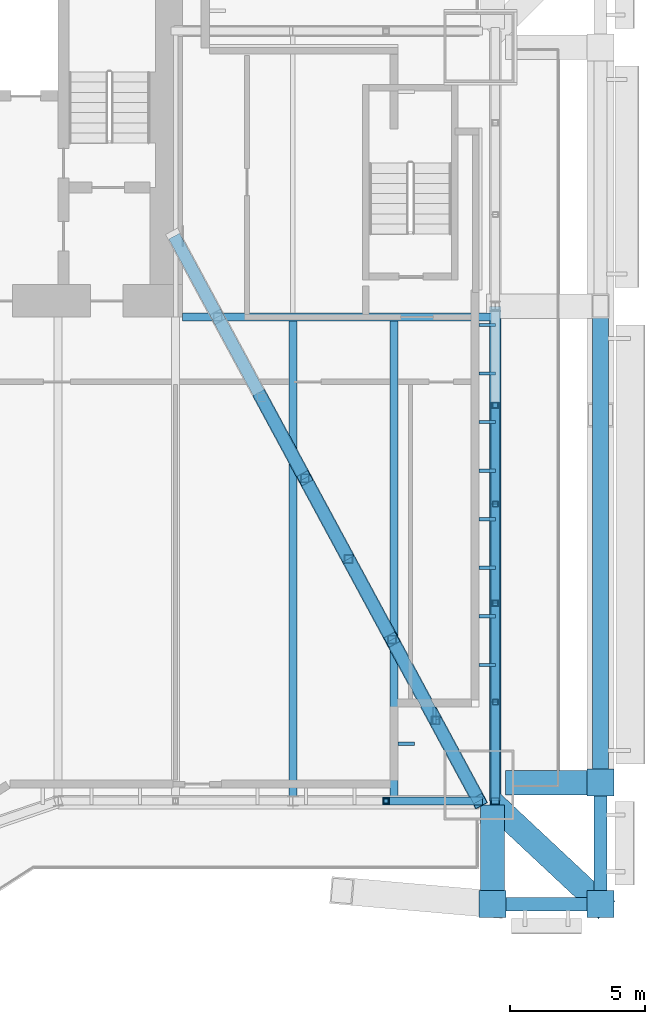
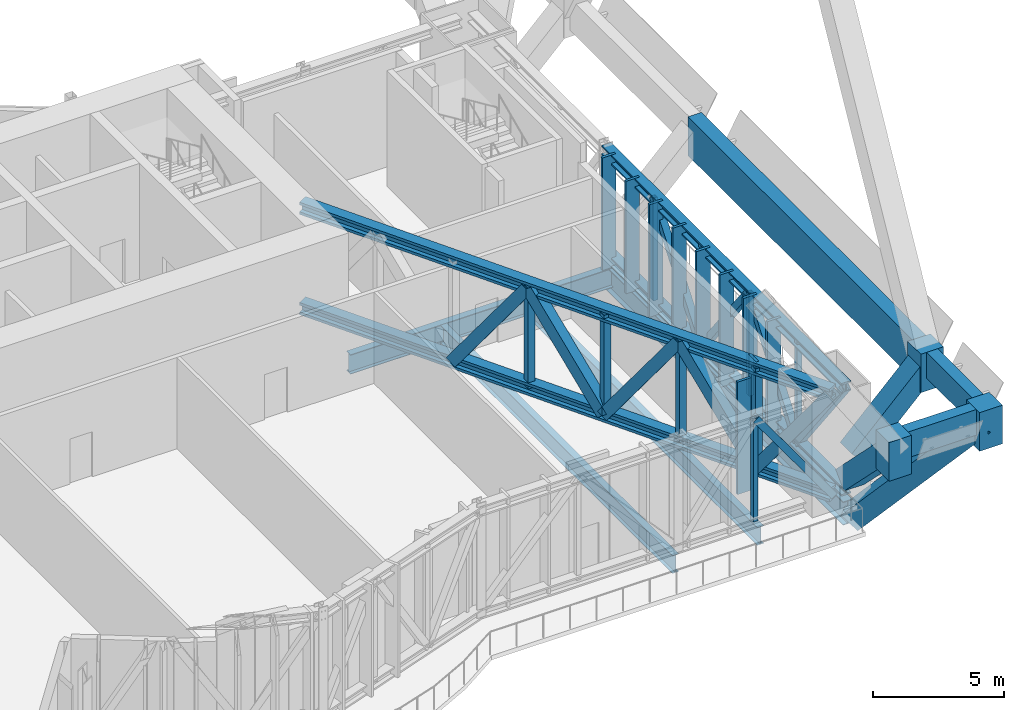
# One storey, part 14 of 30: 39 members, 7 beams, 1 element without a shape of its own.
"""IFC4 building model written with IfcOpenShell, lengths in metres."""

from ifc_helpers import new_model, si_unit, direction, frame, origin, origin_2d, place, context, subcontext, project, spatial, rectangle, hollow_rectangle, i_section, extrude, material, material_profile, profile_set, type_object, element, aggregate, save


model = new_model("IFC4")

# Units and contexts
model_context = context("Model", 3, precision=1e-05, world=origin(), true_north=direction((0.0, 1.0)))
body_context = subcontext(model_context, "Body", "Model", "MODEL_VIEW")
ifc_project = project(units=[si_unit("LENGTHUNIT", "METRE"), si_unit("AREAUNIT", "SQUARE_METRE"), si_unit("VOLUMEUNIT", "CUBIC_METRE"), si_unit("PLANEANGLEUNIT", "RADIAN"), si_unit("MASSUNIT", "GRAM", prefix="KILO")], contexts=[model_context])

# Site, building, storey
site_placement = place(None, origin())
site = spatial("IfcSite", under=ifc_project, at=site_placement, CompositionType="ELEMENT")
building_placement = place(site_placement, origin())
building = spatial("IfcBuilding", under=site, at=building_placement, Name="Bicima Exchange Tower", CompositionType="ELEMENT")
storey_placement = place(building_placement, frame((0.0, 0.0, 185.5)))
storey = spatial("IfcBuildingStorey", under=building, at=storey_placement, Name="L41", CompositionType="ELEMENT", Elevation=185.5)

# Curtain wall, members
ifc_material_1 = material(Name="Anodised bronze aluminium", Category="aluminium")
curtain_wall_type = type_object("IfcCurtainWallType", Name="Band blade screen", PredefinedType="NOTDEFINED", material=ifc_material_1)
curtain_wall_placement = place(storey_placement, origin())
curtain_wall = element("IfcCurtainWall", 1, at=curtain_wall_placement, inside=storey, type_object=curtain_wall_type, Name="Band blade screen L41", PredefinedType="NOTDEFINED")
ifc_material_profile_1 = material_profile(ifc_material_1, rectangle(XDim=0.60009765625, YDim=0.1201171875, at=origin_2d()))
ifc_profile_set_1 = profile_set([ifc_material_profile_1], Name="Anodised bronze aluminium")
member_type_1 = type_object("IfcMemberType", Name="Band blade fin 600 x 120", PredefinedType="USERDEFINED", material=ifc_profile_set_1)
member_1_placement = place(storey_placement, frame((33.300048828125, -25.89208984375, 0.0), z_axis=(0.0, 0.0, 1.0), x_axis=(-1.0, 0.0, 0.0)))
member_1 = element("IfcMember", 2, at=member_1_placement, type_object=member_type_1, Name="Band blade fin 1", ObjectType="FIN", PredefinedType="USERDEFINED", context=body_context, shape_type="SweptSolid", body=[
    extrude(rectangle(XDim=0.60009765625, YDim=0.1201171875, at=origin_2d()), origin(), (0.0, 0.0, 1.0), 5.25),
])
member_2_placement = place(storey_placement, frame((33.300048828125, -24.092041015625, 0.0), z_axis=(0.0, 0.0, 1.0), x_axis=(-1.0, 0.0, 0.0)))
member_2 = element("IfcMember", 3, at=member_2_placement, type_object=member_type_1, Name="Band blade fin 2", ObjectType="FIN", PredefinedType="USERDEFINED", context=body_context, shape_type="SweptSolid", body=[
    extrude(rectangle(XDim=0.60009765625, YDim=0.1201171875, at=origin_2d()), origin(), (0.0, 0.0, 1.0), 5.25),
])
member_3_placement = place(storey_placement, frame((33.300048828125, -22.2919921875, 0.0), z_axis=(0.0, 0.0, 1.0), x_axis=(-1.0, 0.0, 0.0)))
member_3 = element("IfcMember", 4, at=member_3_placement, type_object=member_type_1, Name="Band blade fin 3", ObjectType="FIN", PredefinedType="USERDEFINED", context=body_context, shape_type="SweptSolid", body=[
    extrude(rectangle(XDim=0.60009765625, YDim=0.1201171875, at=origin_2d()), origin(), (0.0, 0.0, 1.0), 5.25),
])
member_4_placement = place(storey_placement, frame((33.300048828125, -20.4921875, 0.0), z_axis=(0.0, 0.0, 1.0), x_axis=(-1.0, 0.0, 0.0)))
member_4 = element("IfcMember", 5, at=member_4_placement, type_object=member_type_1, Name="Band blade fin 4", ObjectType="FIN", PredefinedType="USERDEFINED", context=body_context, shape_type="SweptSolid", body=[
    extrude(rectangle(XDim=0.60009765625, YDim=0.1201171875, at=origin_2d()), origin(), (0.0, 0.0, 1.0), 5.25),
])
member_5_placement = place(storey_placement, frame((33.300048828125, -18.692138671875, 0.0), z_axis=(0.0, 0.0, 1.0), x_axis=(-1.0, 0.0, 0.0)))
member_5 = element("IfcMember", 6, at=member_5_placement, type_object=member_type_1, Name="Band blade fin 5", ObjectType="FIN", PredefinedType="USERDEFINED", context=body_context, shape_type="SweptSolid", body=[
    extrude(rectangle(XDim=0.60009765625, YDim=0.1201171875, at=origin_2d()), origin(), (0.0, 0.0, 1.0), 5.25),
])
member_6_placement = place(storey_placement, frame((33.300048828125, -16.89208984375, 0.0), z_axis=(0.0, 0.0, 1.0), x_axis=(-1.0, 0.0, 0.0)))
member_6 = element("IfcMember", 7, at=member_6_placement, type_object=member_type_1, Name="Band blade fin 6", ObjectType="FIN", PredefinedType="USERDEFINED", context=body_context, shape_type="SweptSolid", body=[
    extrude(rectangle(XDim=0.60009765625, YDim=0.1201171875, at=origin_2d()), origin(), (0.0, 0.0, 1.0), 5.25),
])
member_7_placement = place(storey_placement, frame((33.300048828125, -15.092041015625, 0.0), z_axis=(0.0, 0.0, 1.0), x_axis=(-1.0, 0.0, 0.0)))
member_7 = element("IfcMember", 8, at=member_7_placement, type_object=member_type_1, Name="Band blade fin 7", ObjectType="FIN", PredefinedType="USERDEFINED", context=body_context, shape_type="SweptSolid", body=[
    extrude(rectangle(XDim=0.60009765625, YDim=0.1201171875, at=origin_2d()), origin(), (0.0, 0.0, 1.0), 5.25),
])
member_8_placement = place(storey_placement, frame((33.300048828125, -13.2919921875, 0.0), z_axis=(0.0, 0.0, 1.0), x_axis=(-1.0, 0.0, 0.0)))
member_8 = element("IfcMember", 9, at=member_8_placement, type_object=member_type_1, Name="Band blade fin 8", ObjectType="FIN", PredefinedType="USERDEFINED", context=body_context, shape_type="SweptSolid", body=[
    extrude(rectangle(XDim=0.60009765625, YDim=0.1201171875, at=origin_2d()), origin(), (0.0, 0.0, 1.0), 5.25),
])
member_9_placement = place(storey_placement, frame((30.300048828125, -28.81005859375, 0.0), z_axis=(0.0, 0.0, 1.0), x_axis=(-1.0, 0.0, 0.0)))
member_9 = element("IfcMember", 10, at=member_9_placement, type_object=member_type_1, Name="Band blade fin 55", ObjectType="FIN", PredefinedType="USERDEFINED", context=body_context, shape_type="SweptSolid", body=[
    extrude(rectangle(XDim=0.60009765625, YDim=0.1201171875, at=origin_2d()), origin(), (0.0, 0.0, 1.0), 5.25),
])
member_10_placement = place(storey_placement, frame((31.35009765625, -27.760009765625, 0.0), z_axis=(0.0, 0.0, 1.0), x_axis=(0.0, 1.0, 0.0)))
member_10 = element("IfcMember", 11, at=member_10_placement, type_object=member_type_1, Name="Band blade fin 56", ObjectType="FIN", PredefinedType="USERDEFINED", context=body_context, shape_type="SweptSolid", body=[
    extrude(rectangle(XDim=0.60009765625, YDim=0.1201171875, at=origin_2d()), origin(), (0.0, 0.0, 1.0), 5.25),
])
aggregate(curtain_wall, [member_1, member_2, member_3, member_4, member_5, member_6, member_7, member_8, member_9, member_10])

# Beams
ifc_material_2 = material(Name="Steel ASTM A572 Gr 50", Category="steel")
ifc_material_profile_2 = material_profile(ifc_material_2, hollow_rectangle(XDim=0.5, YDim=1.199951171875, WallThickness=0.0400390625, at=origin_2d()))
ifc_profile_set_2 = profile_set([ifc_material_profile_2], Name="Steel ASTM A572 Gr 50")
beam_type_1 = type_object("IfcBeamType", Name="Belt girder BOX 500x1200x40", PredefinedType="BEAM", material=ifc_profile_set_2)
beam_1_placement = place(storey_placement, frame((33.5, -34.756591796875, 4.64990234375), z_axis=(1.0, 0.0, 0.0), x_axis=(0.0, 1.0, 0.0)))
element("IfcBeam", 12, at=beam_1_placement, inside=storey, type_object=beam_type_1, Name="Belt girder", PredefinedType="BEAM", context=body_context, shape_type="SweptSolid", body=[
    extrude(hollow_rectangle(XDim=0.5, YDim=1.199951171875, WallThickness=0.0400390625, at=origin_2d()), origin(), (0.0, 0.0, 1.0), 4.0),
])
beam_2_placement = place(storey_placement, frame((37.5, -34.756591796875, 4.64990234375), z_axis=(0.0, 1.0, 0.0), x_axis=(-1.0, 0.0, 0.0)))
element("IfcBeam", 13, at=beam_2_placement, inside=storey, type_object=beam_type_1, Name="Belt girder", PredefinedType="BEAM", context=body_context, shape_type="SweptSolid", body=[
    extrude(hollow_rectangle(XDim=0.5, YDim=1.199951171875, WallThickness=0.0400390625, at=origin_2d()), origin(), (0.0, 0.0, 1.0), 4.5),
])
ifc_material_profile_3 = material_profile(ifc_material_2, hollow_rectangle(XDim=0.60009765625, YDim=1.800048828125, WallThickness=0.06005859375, at=origin_2d()))
ifc_profile_set_3 = profile_set([ifc_material_profile_3], Name="Steel ASTM A572 Gr 50")
beam_type_2 = type_object("IfcBeamType", Name="Belt girder BOX 600x1800x60", PredefinedType="BEAM", material=ifc_profile_set_3)
beam_3_placement = place(storey_placement, frame((37.5, -30.256591796875, 4.35009765625), z_axis=(0.0, 1.0, 0.0), x_axis=(-1.0, 0.0, 0.0)))
element("IfcBeam", 14, at=beam_3_placement, inside=storey, type_object=beam_type_2, Name="Belt girder", PredefinedType="BEAM", context=body_context, shape_type="SweptSolid", body=[
    extrude(hollow_rectangle(XDim=0.60009765625, YDim=1.800048828125, WallThickness=0.06005859375, at=origin_2d()), origin(), (0.0, 0.0, 1.0), 17.656494140625),
])

# Members
ifc_material_3 = material(Name="Steel ASTM A992 Gr 50", Category="steel")
ifc_material_profile_4 = material_profile(ifc_material_3, i_section(OverallWidth=0.419189453125, OverallDepth=0.45458984375, WebThickness=0.042236328125, FlangeThickness=0.067626953125, at=origin_2d()))
ifc_profile_set_4 = profile_set([ifc_material_profile_4], Name="Steel ASTM A992 Gr 50")
member_type_2 = type_object("IfcMemberType", Name="Belt truss chord W14x370", PredefinedType="CHORD", material=ifc_profile_set_4)
for number, where, z_axis, x_axis, name in (
    (15, (33.60009765625, -12.60009765625, 5.022705078125), (0.0, -1.0, 0.0), (1.0, 0.0, 0.0), "Top chord"),
    (16, (33.60009765625, -12.60009765625, 0.227294921875), (0.0, -1.0, 0.0), (1.0, 0.0, 0.0), "Bottom chord"),
):
    element("IfcMember", number, at=place(storey_placement, frame(where, z_axis=z_axis, x_axis=x_axis)), inside=storey, type_object=member_type_2, Name=name, PredefinedType="CHORD", context=body_context, shape_type="SweptSolid", body=[
        extrude(i_section(OverallWidth=0.419189453125, OverallDepth=0.45458984375, WebThickness=0.042236328125, FlangeThickness=0.067626953125, at=origin_2d()), origin(), (0.0, 0.0, 1.0), 18.337890625),
    ])
ifc_material_profile_5 = material_profile(ifc_material_2, hollow_rectangle(XDim=0.3046875, YDim=0.3046875, WallThickness=0.01171875, at=origin_2d()))
ifc_profile_set_5 = profile_set([ifc_material_profile_5], Name="Steel ASTM A572 Gr 50")
member_type_3 = type_object("IfcMemberType", Name="Belt truss diagonal HSS12x12x1/2", PredefinedType="STRUT", material=ifc_profile_set_5)
member_11_placement = place(storey_placement, frame((29.550048828125, -30.93798828125, 5.022705078125), z_axis=(0.583998756388, 0.0, -0.811754551905), x_axis=(0.0, 1.0, 0.0)))
element("IfcMember", 17, at=member_11_placement, inside=storey, type_object=member_type_3, Name="Truss diagonal", PredefinedType="STRUT", context=body_context, shape_type="SweptSolid", body=[
    extrude(hollow_rectangle(XDim=0.3046875, YDim=0.3046875, WallThickness=0.01171875, at=origin_2d()), origin(), (0.0, 0.0, 1.0), 5.907470703125),
])
for number, where, z_axis, x_axis, name in (
    (18, (33.60009765625, -16.267578125, 5.022705078125), (0.0, -0.60751765115, -0.794306177454), (1.0, 0.0, 0.0), "Truss diagonal"),
    (19, (33.60009765625, -19.935302734375, 0.227294921875), (0.0, -0.607492136235, 0.794325691648), (1.0, 0.0, 0.0), "Truss diagonal"),
    (20, (33.60009765625, -23.602783203125, 5.022705078125), (0.0, -0.60751765115, -0.794306177454), (1.0, 0.0, 0.0), "Truss diagonal"),
    (21, (33.60009765625, -27.2705078125, 0.227294921875), (0.0, -0.607492136235, 0.794325691648), (1.0, 0.0, 0.0), "Truss diagonal"),
):
    element("IfcMember", number, at=place(storey_placement, frame(where, z_axis=z_axis, x_axis=x_axis)), inside=storey, type_object=member_type_3, Name=name, PredefinedType="STRUT", context=body_context, shape_type="SweptSolid", body=[
        extrude(hollow_rectangle(XDim=0.3046875, YDim=0.3046875, WallThickness=0.01171875, at=origin_2d()), origin(), (0.0, 0.0, 1.0), 6.037109375),
    ])
ifc_material_profile_6 = material_profile(ifc_material_2, hollow_rectangle(XDim=0.203125, YDim=0.203125, WallThickness=0.01171875, at=origin_2d()))
ifc_profile_set_6 = profile_set([ifc_material_profile_6], Name="Steel ASTM A572 Gr 50")
member_type_4 = type_object("IfcMemberType", Name="Belt truss post HSS8x8x1/2", PredefinedType="POST", material=ifc_profile_set_6)
for number, where, z_axis, x_axis, name in (
    (22, (29.550048828125, -30.93798828125, 0.227294921875), (0.0, 0.0, 1.0), (1.0, 0.0, 0.0), "Truss post"),
    (23, (33.60009765625, -16.267578125, 0.227294921875), (0.0, 0.0, 1.0), (1.0, 0.0, 0.0), "Truss post"),
    (24, (33.60009765625, -19.935302734375, 0.227294921875), (0.0, 0.0, 1.0), (1.0, 0.0, 0.0), "Truss post"),
    (25, (33.60009765625, -23.602783203125, 0.227294921875), (0.0, 0.0, 1.0), (1.0, 0.0, 0.0), "Truss post"),
    (26, (33.60009765625, -27.2705078125, 0.227294921875), (0.0, 0.0, 1.0), (1.0, 0.0, 0.0), "Truss post"),
):
    element("IfcMember", number, at=place(storey_placement, frame(where, z_axis=z_axis, x_axis=x_axis)), inside=storey, type_object=member_type_4, Name=name, PredefinedType="POST", context=body_context, shape_type="SweptSolid", body=[
        extrude(hollow_rectangle(XDim=0.203125, YDim=0.203125, WallThickness=0.01171875, at=origin_2d()), origin(), (0.0, 0.0, 1.0), 4.79541015625),
    ])

# Beams
ifc_material_profile_7 = material_profile(ifc_material_3, i_section(OverallWidth=0.3046875, OverallDepth=0.911865234375, WebThickness=0.015869140625, FlangeThickness=0.02392578125, at=origin_2d()))
ifc_profile_set_7 = profile_set([ifc_material_profile_7], Name="Steel ASTM A992 Gr 50")
beam_type_3 = type_object("IfcBeamType", Name="Core-line girder W36x150", PredefinedType="BEAM", material=ifc_profile_set_7)
beam_4_placement = place(storey_placement, frame((22.0, -13.0, -0.656005859375), z_axis=(1.0, 0.0, 0.0), x_axis=(0.0, 1.0, 0.0)))
element("IfcBeam", 27, at=beam_4_placement, inside=storey, type_object=beam_type_3, Name="Core-line girder", PredefinedType="BEAM", context=body_context, shape_type="SweptSolid", body=[
    extrude(i_section(OverallWidth=0.3046875, OverallDepth=0.911865234375, WebThickness=0.015869140625, FlangeThickness=0.02392578125, at=origin_2d()), origin(), (0.0, 0.0, 1.0), 11.60009765625),
])
ifc_material_profile_8 = material_profile(ifc_material_3, i_section(OverallWidth=0.4013671875, OverallDepth=1.089599609375, WebThickness=0.01806640625, FlangeThickness=0.031005859375, at=origin_2d()))
ifc_profile_set_8 = profile_set([ifc_material_profile_8], Name="Steel ASTM A992 Gr 50")
beam_type_4 = type_object("IfcBeamType", Name="End girder W44x230", PredefinedType="BEAM", material=ifc_profile_set_8)
beam_5_placement = place(storey_placement, frame((33.60009765625, -12.60009765625, -0.744873046875), z_axis=(0.0, -1.0, 0.0), x_axis=(1.0, 0.0, 0.0)))
element("IfcBeam", 28, at=beam_5_placement, inside=storey, type_object=beam_type_4, Name="End girder", PredefinedType="BEAM", context=body_context, shape_type="SweptSolid", body=[
    extrude(i_section(OverallWidth=0.4013671875, OverallDepth=1.089599609375, WebThickness=0.01806640625, FlangeThickness=0.031005859375, at=origin_2d()), origin(), (0.0, 0.0, 1.0), 18.4599609375),
])

# Members
ifc_material_4 = material(Name="Cast steel ASTM A216 Gr WCB", Category="steel")
ifc_material_profile_9 = material_profile(ifc_material_4, rectangle(XDim=1.0, YDim=1.0, at=origin_2d()))
ifc_profile_set_9 = profile_set([ifc_material_profile_9], Name="Cast steel ASTM A216 Gr WCB")
member_type_5 = type_object("IfcMemberType", Name="Exo node block", PredefinedType="POST", material=ifc_profile_set_9)
for number, where, z_axis, x_axis, name in (
    (29, (33.5, -34.756591796875, 3.449951171875), (0.0, 0.0, 1.0), (1.0, 0.0, 0.0), "Exo node block"),
    (30, (37.5, -34.756591796875, 3.449951171875), (0.0, 0.0, 1.0), (1.0, 0.0, 0.0), "Exo node block"),
    (31, (37.5, -30.256591796875, 3.449951171875), (0.0, 0.0, 1.0), (1.0, 0.0, 0.0), "Exo node block"),
):
    element("IfcMember", number, at=place(storey_placement, frame(where, z_axis=z_axis, x_axis=x_axis)), inside=storey, type_object=member_type_5, Name=name, PredefinedType="POST", context=body_context, shape_type="SweptSolid", body=[
        extrude(rectangle(XDim=1.0, YDim=1.0, at=origin_2d()), origin(), (0.0, 0.0, 1.0), 1.800048828125),
    ])
ifc_material_profile_10 = material_profile(ifc_material_2, hollow_rectangle(XDim=0.89990234375, YDim=0.89990234375, WallThickness=0.050048828125, at=origin_2d()))
ifc_profile_set_10 = profile_set([ifc_material_profile_10], Name="Steel ASTM A572 Gr 50")
member_type_6 = type_object("IfcMemberType", Name="Exo outrigger stub BOX 900x900x50", PredefinedType="STRUT", material=ifc_profile_set_10)
member_12_placement = place(storey_placement, frame((33.5, -31.407958984375, 1.1513671875), z_axis=(0.0, -0.707106781187, 0.707106781187), x_axis=(1.0, 0.0, 0.0)))
element("IfcMember", 32, at=member_12_placement, inside=storey, type_object=member_type_6, Name="Exo outrigger stub", PredefinedType="STRUT", context=body_context, shape_type="SweptSolid", body=[
    extrude(hollow_rectangle(XDim=0.89990234375, YDim=0.89990234375, WallThickness=0.050048828125, at=origin_2d()), origin(), (0.0, 0.0, 1.0), 4.735595703125),
])
member_13_placement = place(storey_placement, frame((33.70703125, -31.20751953125, -0.89453125), z_axis=(0.506479341854, -0.47391157264, 0.720337766324), x_axis=(0.683240404749, 0.730193501285, 0.0)))
element("IfcMember", 33, at=member_13_placement, inside=storey, type_object=member_type_6, Name="Exo outrigger stub", PredefinedType="STRUT", context=body_context, shape_type="SweptSolid", body=[
    extrude(hollow_rectangle(XDim=0.89990234375, YDim=0.89990234375, WallThickness=0.050048828125, at=origin_2d()), origin(), (0.0, 0.0, 1.0), 7.48876953125),
])
member_14_placement = place(storey_placement, frame((34.300048828125, -30.256591796875, 1.300048828125), z_axis=(0.707106781187, 0.0, 0.707106781187), x_axis=(0.0, 1.0, 0.0)))
element("IfcMember", 34, at=member_14_placement, inside=storey, type_object=member_type_6, Name="Exo outrigger stub", PredefinedType="STRUT", context=body_context, shape_type="SweptSolid", body=[
    extrude(hollow_rectangle(XDim=0.89990234375, YDim=0.89990234375, WallThickness=0.050048828125, at=origin_2d()), origin(), (0.0, 0.0, 1.0), 4.525390625),
])

# Beams
ifc_material_profile_11 = material_profile(ifc_material_3, i_section(OverallWidth=0.2919921875, OverallDepth=0.835693359375, WebThickness=0.013916015625, FlangeThickness=0.018798828125, at=origin_2d()))
ifc_profile_set_11 = profile_set([ifc_material_profile_11], Name="Steel ASTM A992 Gr 50")
beam_type_5 = type_object("IfcBeamType", Name="Floor beam W33x118", PredefinedType="JOIST", material=ifc_profile_set_11)
for number, where, z_axis, x_axis, name in (
    (35, (26.10009765625, -13.15234375, -0.617919921875), (0.0, -1.0, 0.0), (1.0, 0.0, 0.0), "Floor beam"),
    (36, (29.85009765625, -13.15234375, -0.617919921875), (0.0, -1.0, 0.0), (1.0, 0.0, 0.0), "Floor beam"),
):
    element("IfcBeam", number, at=place(storey_placement, frame(where, z_axis=z_axis, x_axis=x_axis)), inside=storey, type_object=beam_type_5, Name=name, PredefinedType="JOIST", context=body_context, shape_type="SweptSolid", body=[
        extrude(i_section(OverallWidth=0.2919921875, OverallDepth=0.835693359375, WebThickness=0.013916015625, FlangeThickness=0.018798828125, at=origin_2d()), origin(), (0.0, 0.0, 1.0), 17.7451171875),
    ])

# Members
ifc_material_profile_12 = material_profile(ifc_material_3, i_section(OverallWidth=0.45458984375, OverallDepth=0.56884765625, WebThickness=0.077880859375, FlangeThickness=0.124755859375, at=origin_2d()))
ifc_profile_set_12 = profile_set([ifc_material_profile_12], Name="Steel ASTM A992 Gr 50")
member_type_7 = type_object("IfcMemberType", Name="Outrigger truss chord W14x730", PredefinedType="CHORD", material=ifc_profile_set_12)
for number, where, z_axis, x_axis, name in (
    (37, (21.699951171875, -10.0, 4.965576171875), (0.47493852957, -0.880018973165, 0.0), (0.880018973165, 0.47493852957, 0.0), "Top chord"),
    (38, (21.699951171875, -10.0, 0.284423828125), (0.47493852957, -0.880018973165, 0.0), (0.880018973165, 0.47493852957, 0.0), "Bottom chord"),
):
    element("IfcMember", number, at=place(storey_placement, frame(where, z_axis=z_axis, x_axis=x_axis)), inside=storey, type_object=member_type_7, Name=name, PredefinedType="CHORD", context=body_context, shape_type="SweptSolid", body=[
        extrude(i_section(OverallWidth=0.45458984375, OverallDepth=0.56884765625, WebThickness=0.077880859375, FlangeThickness=0.124755859375, at=origin_2d()), origin(), (0.0, 0.0, 1.0), 23.792724609375),
    ])
ifc_material_profile_13 = material_profile(ifc_material_2, hollow_rectangle(XDim=0.508056640625, YDim=0.508056640625, WallThickness=0.017822265625, at=origin_2d()))
ifc_profile_set_13 = profile_set([ifc_material_profile_13], Name="Steel ASTM A572 Gr 50")
member_type_8 = type_object("IfcMemberType", Name="Outrigger truss diagonal HSS20x20x3/4", PredefinedType="STRUT", material=ifc_profile_set_13)
for number, where, z_axis, x_axis, name in (
    (39, (24.9287109375, -15.982421875, 0.284423828125), (0.279047505503, -0.51703130519, 0.809204003405), (0.880011688513, 0.474952027136, 0.0), "Truss diagonal"),
    (40, (26.54296875, -18.973388671875, 4.965576171875), (0.279002499617, -0.51706831422, -0.809195874703), (0.880057909851, 0.474866376267, 0.0), "Truss diagonal"),
):
    element("IfcMember", number, at=place(storey_placement, frame(where, z_axis=z_axis, x_axis=x_axis)), inside=storey, type_object=member_type_8, Name=name, PredefinedType="STRUT", context=body_context, shape_type="SweptSolid", body=[
        extrude(hollow_rectangle(XDim=0.508056640625, YDim=0.508056640625, WallThickness=0.017822265625, at=origin_2d()), origin(), (0.0, 0.0, 1.0), 5.784912109375),
    ])
member_15_placement = place(storey_placement, frame((28.156982421875, -21.964599609375, 0.284423828125), z_axis=(0.279080332075, -0.517056136183, 0.809176816453), x_axis=(0.879997870198, 0.474977629417, 0.0)))
element("IfcMember", 41, at=member_15_placement, inside=storey, type_object=member_type_8, Name="Truss diagonal", PredefinedType="STRUT", context=body_context, shape_type="SweptSolid", body=[
    extrude(hollow_rectangle(XDim=0.508056640625, YDim=0.508056640625, WallThickness=0.017822265625, at=origin_2d()), origin(), (0.0, 0.0, 1.0), 5.78515625),
])
for number, where, z_axis, x_axis, name in (
    (42, (29.771484375, -24.955810546875, 4.965576171875), (0.279041416533, -0.517062225555, -0.80918634613), (0.880027890758, 0.474922005688, 0.0), "Truss diagonal"),
    (43, (31.3857421875, -27.947021484375, 0.284423828125), (0.279047505503, -0.51703130519, 0.809204003405), (0.880011688513, 0.474952027136, 0.0), "Truss diagonal"),
):
    element("IfcMember", number, at=place(storey_placement, frame(where, z_axis=z_axis, x_axis=x_axis)), inside=storey, type_object=member_type_8, Name=name, PredefinedType="STRUT", context=body_context, shape_type="SweptSolid", body=[
        extrude(hollow_rectangle(XDim=0.508056640625, YDim=0.508056640625, WallThickness=0.017822265625, at=origin_2d()), origin(), (0.0, 0.0, 1.0), 5.784912109375),
    ])
member_type_9 = type_object("IfcMemberType", Name="Outrigger truss post HSS12x12x1/2", PredefinedType="POST", material=ifc_profile_set_5)
for number, where, z_axis, x_axis, name in (
    (44, (26.54296875, -18.973388671875, 0.284423828125), (0.0, 0.0, 1.0), (1.0, 0.0, 0.0), "Truss post"),
    (45, (28.156982421875, -21.964599609375, 0.284423828125), (0.0, 0.0, 1.0), (1.0, 0.0, 0.0), "Truss post"),
    (46, (29.771484375, -24.955810546875, 0.284423828125), (0.0, 0.0, 1.0), (1.0, 0.0, 0.0), "Truss post"),
    (47, (31.3857421875, -27.947021484375, 0.284423828125), (0.0, 0.0, 1.0), (1.0, 0.0, 0.0), "Truss post"),
):
    element("IfcMember", number, at=place(storey_placement, frame(where, z_axis=z_axis, x_axis=x_axis)), inside=storey, type_object=member_type_9, Name=name, PredefinedType="POST", context=body_context, shape_type="SweptSolid", body=[
        extrude(hollow_rectangle(XDim=0.3046875, YDim=0.3046875, WallThickness=0.01171875, at=origin_2d()), origin(), (0.0, 0.0, 1.0), 4.68115234375),
    ])

save(model, "model.ifc")
